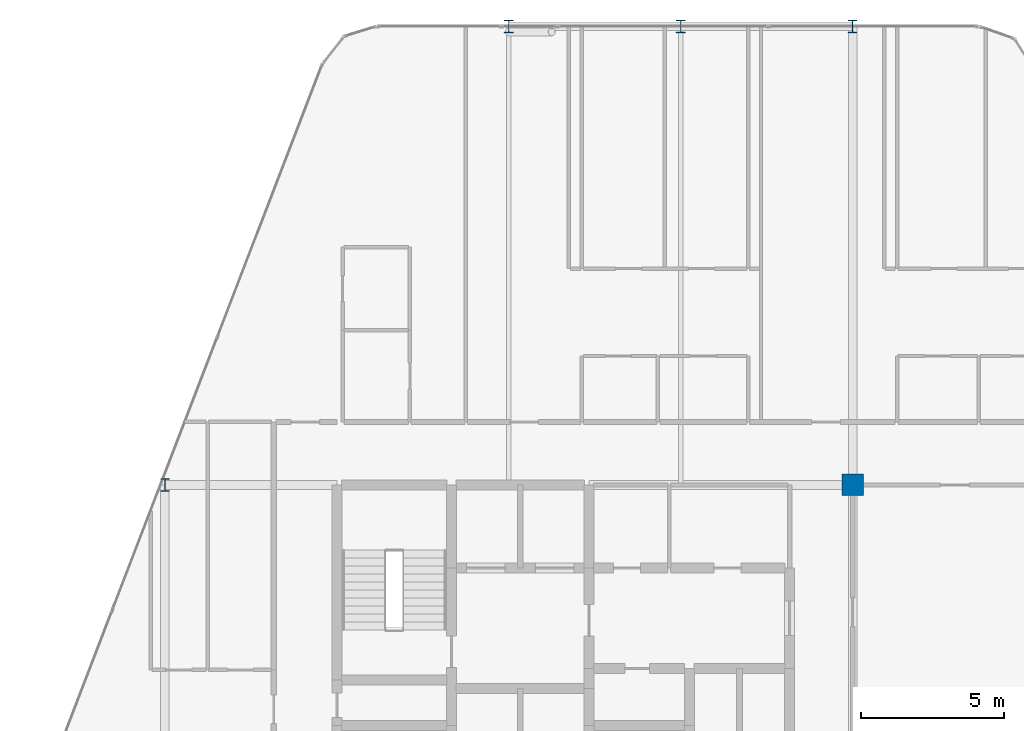
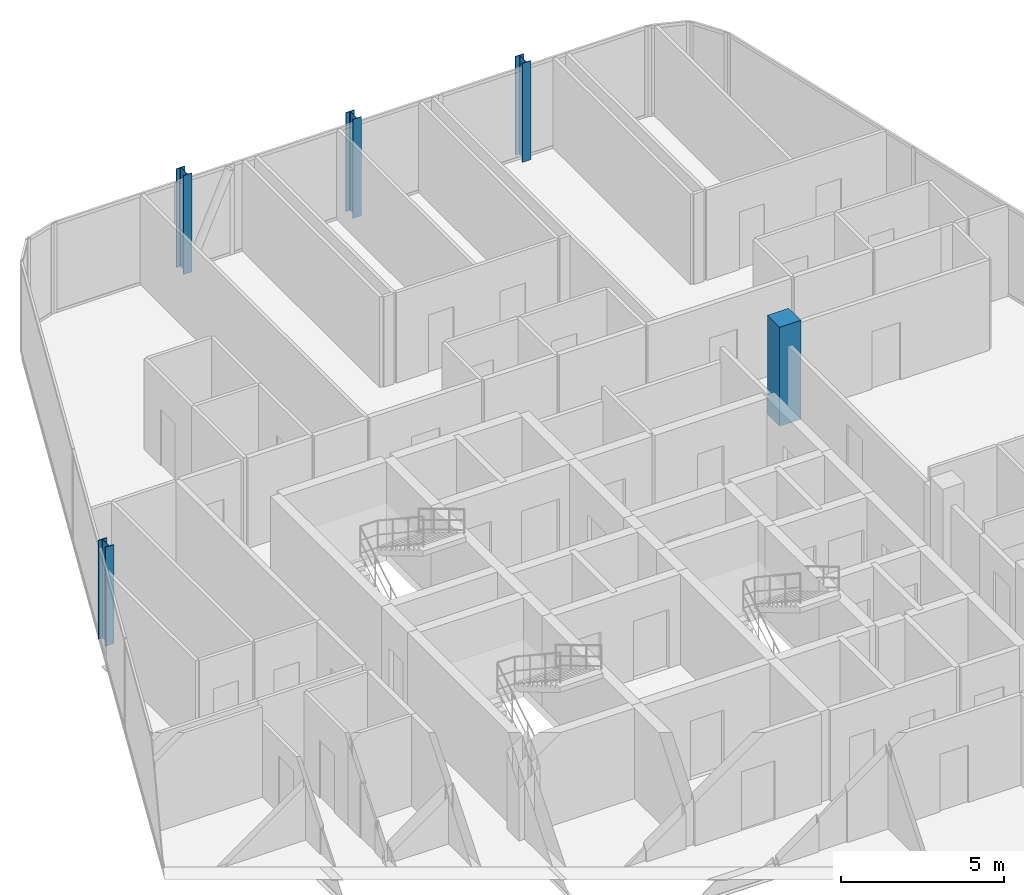
# One storey, part 3 of 29: 5 columns.
"""IFC4 building model written with IfcOpenShell, lengths in metres."""

from ifc_helpers import new_model, si_unit, direction, frame, origin, origin_2d, place, context, subcontext, project, spatial, rectangle, i_section, extrude, material, material_profile, profile_set, type_object, element, save


model = new_model("IFC4")

# Units and contexts
model_context = context("Model", 3, precision=1e-05, world=origin(), true_north=direction((0.0, 1.0)))
body_context = subcontext(model_context, "Body", "Model", "MODEL_VIEW")
ifc_project = project(units=[si_unit("LENGTHUNIT", "METRE"), si_unit("AREAUNIT", "SQUARE_METRE"), si_unit("VOLUMEUNIT", "CUBIC_METRE"), si_unit("PLANEANGLEUNIT", "RADIAN"), si_unit("MASSUNIT", "GRAM", prefix="KILO")], contexts=[model_context])

# Site, building, storey
site_placement = place(None, origin())
site = spatial("IfcSite", under=ifc_project, at=site_placement, CompositionType="ELEMENT")
building_placement = place(site_placement, origin())
building = spatial("IfcBuilding", under=site, at=building_placement, Name="Keshet Zoharim Tower", CompositionType="ELEMENT")
storey_placement = place(building_placement, frame((0.0, 0.0, 214.300048828125)))
storey = spatial("IfcBuildingStorey", under=building, at=storey_placement, Name="L53", CompositionType="ELEMENT", Elevation=214.300048828125)

# Columns
ifc_material_1 = material(Name="Steel S355", Category="steel")
ifc_material_profile_1 = material_profile(ifc_material_1, i_section(OverallWidth=0.300048828125, OverallDepth=0.449951171875, WebThickness=0.013916015625, FlangeThickness=0.02587890625, FilletRadius=0.027099609375, at=origin_2d()), Name="HEB450")
ifc_profile_set_1 = profile_set([ifc_material_profile_1], Name="Steel S355")
column_type_1 = type_object("IfcColumnType", Name="COL-HEB450", PredefinedType="COLUMN", material=ifc_profile_set_1)
for number, where, z_axis, x_axis, name in (
    (1, (9.0, 37.89990234375, 0.0), (0.0, 0.0, 1.0), (1.0, 0.0, 0.0), "L53 Column 2H"),
    (2, (21.0, 53.89990234375, 0.0), (0.0, 0.0, 1.0), (1.0, 0.0, 0.0), "L53 Column 4L"),
    (3, (27.0, 53.89990234375, 0.0), (0.0, 0.0, 1.0), (1.0, 0.0, 0.0), "L53 Column 5L"),
    (4, (33.0, 53.89990234375, 0.0), (0.0, 0.0, 1.0), (1.0, 0.0, 0.0), "L53 Column 6L"),
):
    element("IfcColumn", number, at=place(storey_placement, frame(where, z_axis=z_axis, x_axis=x_axis)), inside=storey, type_object=column_type_1, Name=name, PredefinedType="COLUMN", context=body_context, shape_type="SweptSolid", body=[
        extrude(i_section(OverallWidth=0.300048828125, OverallDepth=0.449951171875, WebThickness=0.013916015625, FlangeThickness=0.02587890625, FilletRadius=0.027099609375, at=origin_2d()), origin(), (0.0, 0.0, 1.0), 3.699951171875),
    ])
ifc_material_2 = material(Name="Concrete C50/60", Category="concrete")
ifc_material_profile_2 = material_profile(ifc_material_2, rectangle(XDim=0.75, YDim=0.75, at=origin_2d()), Name="RC750x750")
ifc_profile_set_2 = profile_set([ifc_material_profile_2], Name="Concrete C50/60")
column_type_2 = type_object("IfcColumnType", Name="COL-RC750", PredefinedType="COLUMN", material=ifc_profile_set_2)
column_placement = place(storey_placement, frame((33.0, 37.89990234375, 0.0), z_axis=(0.0, 0.0, 1.0), x_axis=(1.0, 0.0, 0.0)))
element("IfcColumn", 5, at=column_placement, inside=storey, type_object=column_type_2, Name="L53 Column 6H", PredefinedType="COLUMN", context=body_context, shape_type="SweptSolid", body=[
    extrude(rectangle(XDim=0.75, YDim=0.75, at=origin_2d()), origin(), (0.0, 0.0, 1.0), 3.699951171875),
])

save(model, "model.ifc")
